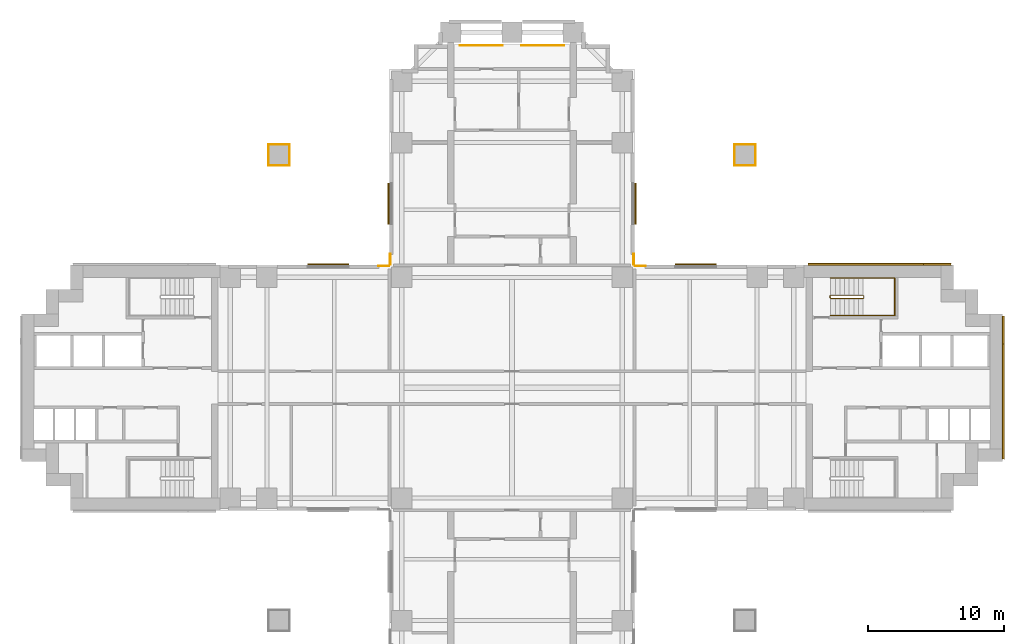
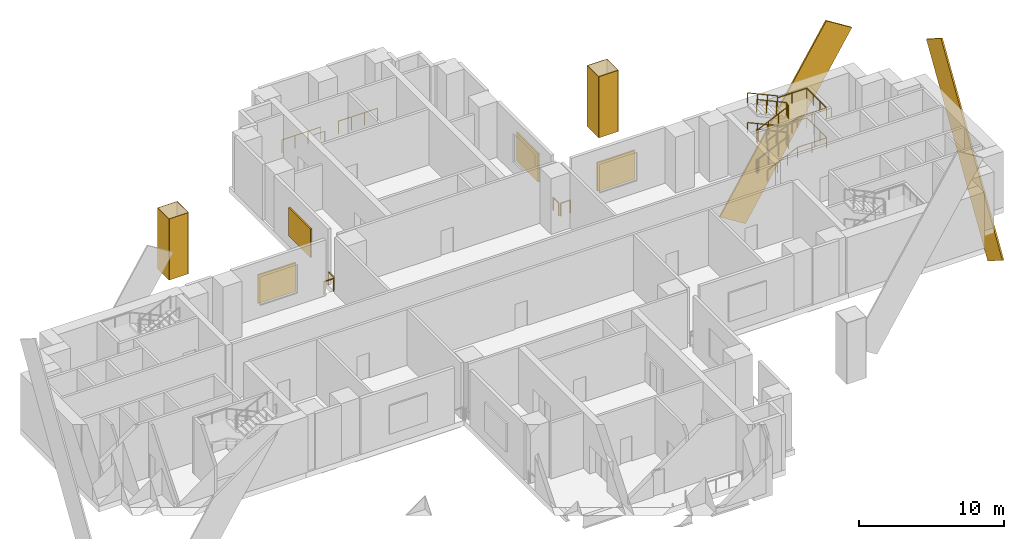
# One storey, part 10 of 10: 10 coverings, 9 railings, 4 shading devices.
"""IFC4 building model written with IfcOpenShell, lengths in metres."""

from ifc_helpers import new_model, si_unit, direction, frame, origin, origin_2d, place, context, subcontext, project, spatial, rectangle, extrude, material, layer, layer_set, material_profile, profile_set, type_object, element, save


model = new_model("IFC4")

# Units and contexts
model_context = context("Model", 3, precision=1e-05, world=origin(), true_north=direction((0.0, 1.0)))
body_context = subcontext(model_context, "Body", "Model", "MODEL_VIEW")
ifc_project = project(units=[si_unit("LENGTHUNIT", "METRE"), si_unit("AREAUNIT", "SQUARE_METRE"), si_unit("VOLUMEUNIT", "CUBIC_METRE"), si_unit("PLANEANGLEUNIT", "RADIAN"), si_unit("MASSUNIT", "GRAM", prefix="KILO")], contexts=[model_context])

# Site, building, storey
site_placement = place(None, origin())
site = spatial("IfcSite", under=ifc_project, at=site_placement, CompositionType="ELEMENT")
building_placement = place(site_placement, origin())
building = spatial("IfcBuilding", under=site, at=building_placement, Name="Perihelion Cross Residences", CompositionType="ELEMENT")
storey_placement = place(building_placement, frame((0.0, 0.0, 27.0)))
storey = spatial("IfcBuildingStorey", under=building, at=storey_placement, Name="L03", CompositionType="ELEMENT", Elevation=27.0)

# Coverings
ifc_material_1 = material(Name="Bronze anodised aluminium", Category="aluminium")
ifc_material_profile = material_profile(ifc_material_1, rectangle(XDim=0.125, YDim=2.39990234375, at=origin_2d()), Name="Bronze cladding band 2400")
ifc_profile_set = profile_set([ifc_material_profile], Name="Bronze anodised aluminium")
covering_type_1 = type_object("IfcCoveringType", Name="Bronze cladding band 2400", PredefinedType="CLADDING", material=ifc_profile_set)
for number, where, z_axis, x_axis, name in (
    (1, (22.767578125, 9.0625, -5.214111328125), (0.529924750763, 0.0, 0.848044667767), (0.0, 1.0, 0.0), "Core cladding band, east core"),
    (2, (36.0625, -4.232421875, -5.214111328125), (0.0, 0.529924750763, 0.848044667767), (-1.0, 0.0, 0.0), "Core cladding band, east core"),
):
    element("IfcCovering", number, at=place(storey_placement, frame(where, z_axis=z_axis, x_axis=x_axis)), inside=storey, type_object=covering_type_1, Name=name, PredefinedType="CLADDING", context=body_context, shape_type="SweptSolid", body=[
        extrude(rectangle(XDim=0.125, YDim=2.39990234375, at=origin_2d()), origin(), (0.0, 0.0, 1.0), 15.9736328125),
    ])
ifc_material_2 = material(Name="Bronze anodised aluminium", Category="aluminium")
ifc_layer_1 = layer(ifc_material_2, 0.0400390625)
ifc_layer_set_1 = layer_set([ifc_layer_1], Name="Bronze column casing 40")
covering_type_2 = type_object("IfcCoveringType", Name="Bronze column casing 40", PredefinedType="CLADDING", material=ifc_layer_set_1)
covering_1_placement = place(storey_placement, frame((-17.8701171875, 17.10009765625, -0.449951171875), z_axis=(0.0, 0.0, 1.0), x_axis=(1.0, 0.0, 0.0)))
element("IfcCovering", 3, at=covering_1_placement, inside=storey, type_object=covering_type_2, Name="Cladding CC1 L03 casing east-west no. 2", PredefinedType="CLADDING", context=body_context, shape_type="SweptSolid", body=[
    extrude(rectangle(XDim=0.0400390625, YDim=1.580078125, at=origin_2d()), origin(), (0.0, 0.0, 1.0), 5.14990234375),
])
covering_2_placement = place(storey_placement, frame((-17.10009765625, 17.8701171875, -0.449951171875), z_axis=(0.0, 0.0, 1.0), x_axis=(1.0, 0.0, 0.0)))
element("IfcCovering", 4, at=covering_2_placement, inside=storey, type_object=covering_type_2, Name="Cladding CC1 L03 casing north-south no. 2", PredefinedType="CLADDING", context=body_context, shape_type="SweptSolid", body=[
    extrude(rectangle(XDim=1.5, YDim=0.0400390625, at=origin_2d()), origin(), (0.0, 0.0, 1.0), 5.14990234375),
])
covering_3_placement = place(storey_placement, frame((-16.330078125, 17.10009765625, -0.449951171875), z_axis=(0.0, 0.0, 1.0), x_axis=(1.0, 0.0, 0.0)))
element("IfcCovering", 5, at=covering_3_placement, inside=storey, type_object=covering_type_2, Name="Cladding CC1 L03 casing inner east-west no. 2", PredefinedType="CLADDING", context=body_context, shape_type="SweptSolid", body=[
    extrude(rectangle(XDim=0.0400390625, YDim=1.580078125, at=origin_2d()), origin(), (0.0, 0.0, 1.0), 5.14990234375),
])
covering_4_placement = place(storey_placement, frame((-17.10009765625, 16.330078125, -0.449951171875), z_axis=(0.0, 0.0, 1.0), x_axis=(1.0, 0.0, 0.0)))
element("IfcCovering", 6, at=covering_4_placement, inside=storey, type_object=covering_type_2, Name="Cladding CC1 L03 casing inner north-south no. 2", PredefinedType="CLADDING", context=body_context, shape_type="SweptSolid", body=[
    extrude(rectangle(XDim=1.5, YDim=0.0400390625, at=origin_2d()), origin(), (0.0, 0.0, 1.0), 5.14990234375),
])
covering_5_placement = place(storey_placement, frame((17.8701171875, 17.10009765625, -0.449951171875), z_axis=(0.0, 0.0, 1.0), x_axis=(1.0, 0.0, 0.0)))
element("IfcCovering", 7, at=covering_5_placement, inside=storey, type_object=covering_type_2, Name="Cladding CC1 L03 casing east-west no. 4", PredefinedType="CLADDING", context=body_context, shape_type="SweptSolid", body=[
    extrude(rectangle(XDim=0.0400390625, YDim=1.580078125, at=origin_2d()), origin(), (0.0, 0.0, 1.0), 5.14990234375),
])
covering_6_placement = place(storey_placement, frame((17.10009765625, 17.8701171875, -0.449951171875), z_axis=(0.0, 0.0, 1.0), x_axis=(1.0, 0.0, 0.0)))
element("IfcCovering", 8, at=covering_6_placement, inside=storey, type_object=covering_type_2, Name="Cladding CC1 L03 casing north-south no. 4", PredefinedType="CLADDING", context=body_context, shape_type="SweptSolid", body=[
    extrude(rectangle(XDim=1.5, YDim=0.0400390625, at=origin_2d()), origin(), (0.0, 0.0, 1.0), 5.14990234375),
])
covering_7_placement = place(storey_placement, frame((16.330078125, 17.10009765625, -0.449951171875), z_axis=(0.0, 0.0, 1.0), x_axis=(1.0, 0.0, 0.0)))
element("IfcCovering", 9, at=covering_7_placement, inside=storey, type_object=covering_type_2, Name="Cladding CC1 L03 casing inner east-west no. 4", PredefinedType="CLADDING", context=body_context, shape_type="SweptSolid", body=[
    extrude(rectangle(XDim=0.0400390625, YDim=1.580078125, at=origin_2d()), origin(), (0.0, 0.0, 1.0), 5.14990234375),
])
covering_8_placement = place(storey_placement, frame((17.10009765625, 16.330078125, -0.449951171875), z_axis=(0.0, 0.0, 1.0), x_axis=(1.0, 0.0, 0.0)))
element("IfcCovering", 10, at=covering_8_placement, inside=storey, type_object=covering_type_2, Name="Cladding CC1 L03 casing inner north-south no. 4", PredefinedType="CLADDING", context=body_context, shape_type="SweptSolid", body=[
    extrude(rectangle(XDim=1.5, YDim=0.0400390625, at=origin_2d()), origin(), (0.0, 0.0, 1.0), 5.14990234375),
])

# Shading devices
ifc_material_3 = material(Name="Bronze anodised aluminium", Category="aluminium")
ifc_layer_2 = layer(ifc_material_3, 0.1201171875)
ifc_layer_set_2 = layer_set([ifc_layer_2], Name="Louvre panel")
shading_device_type = type_object("IfcShadingDeviceType", Name="Louvre panel", PredefinedType="USERDEFINED", material=ifc_layer_set_2)
for number, where, z_axis, x_axis, name in (
    (11, (13.5, 9.06005859375, 1.0), (0.0, 0.0, 1.0), (-1.0, 0.0, 0.0), "Louvre LV1 L03 east side north bay 2"),
    (12, (9.06005859375, 13.5, 1.0), (0.0, 0.0, 1.0), (0.0, 1.0, 0.0), "Louvre LV1 L03 north side east bay 1"),
    (13, (-9.06005859375, 13.5, 1.0), (0.0, 0.0, 1.0), (0.0, -1.0, 0.0), "Louvre LV1 L03 north side west bay 2"),
    (14, (-13.5, 9.06005859375, 1.0), (0.0, 0.0, 1.0), (-1.0, 0.0, 0.0), "Louvre LV1 L03 west side north bay 1"),
):
    element("IfcShadingDevice", number, at=place(storey_placement, frame(where, z_axis=z_axis, x_axis=x_axis)), inside=storey, type_object=shading_device_type, Name=name, ObjectType="LOUVRE", PredefinedType="USERDEFINED", context=body_context, shape_type="SweptSolid", body=[
        extrude(rectangle(XDim=3.0, YDim=0.1201171875, at=origin_2d()), origin(), (0.0, 0.0, 1.0), 2.39990234375),
    ])

# Railings
ifc_material_4 = material(Name="Bronze anodised aluminium", Category="aluminium")
railing_type_1 = type_object("IfcRailingType", Name="Roof guard 1100", PredefinedType="GUARDRAIL", material=ifc_material_4)
for number, where, name in (
    (15, (3.800048828125, 25.139892578125, 0.0), "Guard GU3 L03 edge 1 1 1"),
    (16, (-0.699951171875, 25.139892578125, 0.0), "Guard GU3 L03 edge 1 1 2"),
):
    element("IfcRailing", number, at=place(storey_placement, frame(where)), inside=storey, type_object=railing_type_1, Name=name, PredefinedType="GUARDRAIL", context=body_context, shape_type="SweptSolid", body=[
        extrude(rectangle(XDim=0.048095703125, YDim=0.048095703125, at=origin_2d()), frame((0.0, 0.0, 1.076171875), z_axis=(-1.0, 0.0, 0.0), x_axis=(0.0, -1.0, 0.0)), (0.0, 0.0, 1.0), 3.10009765625),
        extrude(rectangle(XDim=0.0419921875, YDim=0.0419921875, at=origin_2d()), origin(), (0.0, 0.0, 1.0), 1.052001953125),
        extrude(rectangle(XDim=0.0419921875, YDim=0.0419921875, at=origin_2d()), frame((-1.033447265625, 0.0, 0.0)), (0.0, 0.0, 1.0), 1.052001953125),
        extrude(rectangle(XDim=0.0419921875, YDim=0.0419921875, at=origin_2d()), frame((-2.066650390625, 0.0, 0.0)), (0.0, 0.0, 1.0), 1.052001953125),
        extrude(rectangle(XDim=0.0419921875, YDim=0.0419921875, at=origin_2d()), frame((-3.10009765625, 0.0, 0.0)), (0.0, 0.0, 1.0), 1.052001953125),
    ])
railing_1_placement = place(storey_placement, frame((-8.93994140625, 9.800048828125, 0.0)))
element("IfcRailing", 17, at=railing_1_placement, inside=storey, type_object=railing_type_1, Name="Guard GU3 L03 edge 1 1 4", PredefinedType="GUARDRAIL", context=body_context, shape_type="SweptSolid", body=[
    extrude(rectangle(XDim=0.048095703125, YDim=0.048095703125, at=origin_2d()), frame((0.0, 0.0, 1.076171875), z_axis=(0.0, -1.0, 0.0), x_axis=(1.0, 0.0, 0.0)), (0.0, 0.0, 1.0), 0.75),
    extrude(rectangle(XDim=0.0419921875, YDim=0.0419921875, at=origin_2d()), origin(), (0.0, 0.0, 1.0), 1.052001953125),
    extrude(rectangle(XDim=0.0419921875, YDim=0.0419921875, at=origin_2d()), frame((0.0, -0.75, 0.0)), (0.0, 0.0, 1.0), 1.052001953125),
])
for number, where, name in (
    (18, (-9.050048828125, 8.93994140625, 0.0), "Guard GU3 L03 edge 1 1 5"),
    (19, (9.800048828125, 8.93994140625, 0.0), "Guard GU3 L03 edge 1 1 16"),
):
    element("IfcRailing", number, at=place(storey_placement, frame(where)), inside=storey, type_object=railing_type_1, Name=name, PredefinedType="GUARDRAIL", context=body_context, shape_type="SweptSolid", body=[
        extrude(rectangle(XDim=0.048095703125, YDim=0.048095703125, at=origin_2d()), frame((0.0, 0.0, 1.076171875), z_axis=(-1.0, 0.0, 0.0), x_axis=(0.0, -1.0, 0.0)), (0.0, 0.0, 1.0), 0.75),
        extrude(rectangle(XDim=0.0419921875, YDim=0.0419921875, at=origin_2d()), origin(), (0.0, 0.0, 1.0), 1.052001953125),
        extrude(rectangle(XDim=0.0419921875, YDim=0.0419921875, at=origin_2d()), frame((-0.75, 0.0, 0.0)), (0.0, 0.0, 1.0), 1.052001953125),
    ])
railing_2_placement = place(storey_placement, frame((8.93994140625, 9.050048828125, 0.0)))
element("IfcRailing", 20, at=railing_2_placement, inside=storey, type_object=railing_type_1, Name="Guard GU3 L03 edge 1 1 17", PredefinedType="GUARDRAIL", context=body_context, shape_type="SweptSolid", body=[
    extrude(rectangle(XDim=0.048095703125, YDim=0.048095703125, at=origin_2d()), frame((0.0, 0.0, 1.076171875), z_axis=(0.0, 1.0, 0.0), x_axis=(-1.0, 0.0, 0.0)), (0.0, 0.0, 1.0), 0.75),
    extrude(rectangle(XDim=0.0419921875, YDim=0.0419921875, at=origin_2d()), origin(), (0.0, 0.0, 1.0), 1.052001953125),
    extrude(rectangle(XDim=0.0419921875, YDim=0.0419921875, at=origin_2d()), frame((0.0, 0.75, 0.0)), (0.0, 0.0, 1.0), 1.052001953125),
])
ifc_material_5 = material(Name="Stainless steel", Category="steel")
railing_type_2 = type_object("IfcRailingType", Name="Stair guard 1100", PredefinedType="GUARDRAIL", material=ifc_material_5)
railing_3_placement = place(storey_placement, frame((23.35009765625, 6.75, 0.0)))
element("IfcRailing", 21, at=railing_3_placement, inside=storey, type_object=railing_type_2, Name="L03 ST-E1 stair guard 1", PredefinedType="GUARDRAIL", context=body_context, shape_type="SweptSolid", body=[
    extrude(rectangle(XDim=0.048095703125, YDim=0.048095703125, at=origin_2d()), frame((0.0, 0.0, 1.076171875), z_axis=(0.0, -1.0, 0.0), x_axis=(1.0, 0.0, 0.0)), (0.0, 0.0, 1.0), 0.14990234375),
    extrude(rectangle(XDim=0.048095703125, YDim=0.048095703125, at=origin_2d()), frame((0.0, -0.14990234375, 1.076171875), z_axis=(0.290469530425, -0.291893400672, 0.911276958196), x_axis=(0.708833529934, 0.705375805398, 0.0)), (0.0, 0.0, 1.0), 0.17138671875),
    extrude(rectangle(XDim=0.048095703125, YDim=0.048095703125, at=origin_2d()), frame((0.0498046875, -0.199951171875, 1.232421875), z_axis=(0.908651039524, 0.0, 0.417556329579), x_axis=(0.0, 1.0, 0.0)), (0.0, 0.0, 1.0), 2.619384765625),
    extrude(rectangle(XDim=0.048095703125, YDim=0.048095703125, at=origin_2d()), frame((2.429931640625, -0.199951171875, 2.326171875), z_axis=(0.707106781187, 0.707106781187, 0.0), x_axis=(-0.707106781187, 0.707106781187, 0.0)), (0.0, 0.0, 1.0), 0.07080078125),
    extrude(rectangle(XDim=0.048095703125, YDim=0.048095703125, at=origin_2d()), frame((2.47998046875, -0.14990234375, 2.326171875), z_axis=(0.0, 1.0, 0.0), x_axis=(-1.0, 0.0, 0.0)), (0.0, 0.0, 1.0), 0.14990234375),
    extrude(rectangle(XDim=0.048095703125, YDim=0.048095703125, at=origin_2d()), frame((2.47998046875, 0.0, 2.326171875), z_axis=(-0.29177245553, 0.29177245553, 0.91089937336), x_axis=(-0.707106781187, -0.707106781187, 0.0)), (0.0, 0.0, 1.0), 0.171630859375),
    extrude(rectangle(XDim=0.048095703125, YDim=0.048095703125, at=origin_2d()), frame((2.429931640625, 0.050048828125, 2.482421875), z_axis=(-0.908651039524, 0.0, 0.417556329579), x_axis=(0.0, -1.0, 0.0)), (0.0, 0.0, 1.0), 2.619384765625),
    extrude(rectangle(XDim=0.048095703125, YDim=0.048095703125, at=origin_2d()), frame((0.0498046875, 0.050048828125, 3.576171875), z_axis=(-0.241699205484, -0.970351222016, 0.0), x_axis=(0.970351222016, -0.241699205484, 0.0)), (0.0, 0.0, 1.0), 0.2060546875),
    extrude(rectangle(XDim=0.048095703125, YDim=0.048095703125, at=origin_2d()), frame((0.0, -0.14990234375, 3.576171875), z_axis=(0.0, 1.0, 0.0), x_axis=(-1.0, 0.0, 0.0)), (0.0, 0.0, 1.0), 0.14990234375),
    extrude(rectangle(XDim=0.048095703125, YDim=0.048095703125, at=origin_2d()), frame((0.0, 0.0, 3.576171875), z_axis=(0.192591976565, -0.773200141208, 0.604210122556), x_axis=(0.970351222016, 0.241699205484, 0.0)), (0.0, 0.0, 1.0), 0.258544921875),
    extrude(rectangle(XDim=0.048095703125, YDim=0.048095703125, at=origin_2d()), frame((0.0498046875, -0.199951171875, 3.732421875), z_axis=(0.908651039524, 0.0, 0.417556329579), x_axis=(0.0, 1.0, 0.0)), (0.0, 0.0, 1.0), 2.619384765625),
    extrude(rectangle(XDim=0.048095703125, YDim=0.048095703125, at=origin_2d()), frame((2.429931640625, -0.199951171875, 4.826171875), z_axis=(0.707106781187, 0.707106781187, 0.0), x_axis=(-0.707106781187, 0.707106781187, 0.0)), (0.0, 0.0, 1.0), 0.07080078125),
    extrude(rectangle(XDim=0.048095703125, YDim=0.048095703125, at=origin_2d()), frame((2.47998046875, -0.14990234375, 4.826171875), z_axis=(0.0, 1.0, 0.0), x_axis=(-1.0, 0.0, 0.0)), (0.0, 0.0, 1.0), 0.14990234375),
    extrude(rectangle(XDim=0.048095703125, YDim=0.048095703125, at=origin_2d()), frame((2.47998046875, 0.0, 4.826171875), z_axis=(-0.29177245553, 0.29177245553, 0.91089937336), x_axis=(-0.707106781187, -0.707106781187, 0.0)), (0.0, 0.0, 1.0), 0.171630859375),
    extrude(rectangle(XDim=0.048095703125, YDim=0.048095703125, at=origin_2d()), frame((2.429931640625, 0.050048828125, 4.982421875), z_axis=(-0.908651039524, 0.0, 0.417556329579), x_axis=(0.0, -1.0, 0.0)), (0.0, 0.0, 1.0), 2.619384765625),
    extrude(rectangle(XDim=0.0419921875, YDim=0.0419921875, at=origin_2d()), origin(), (0.0, 0.0, 1.0), 1.052001953125),
    extrude(rectangle(XDim=0.0419921875, YDim=0.0419921875, at=origin_2d()), frame((0.0, -0.14990234375, 0.0)), (0.0, 0.0, 1.0), 1.052001953125),
    extrude(rectangle(XDim=0.0419921875, YDim=0.0419921875, at=origin_2d()), frame((0.0498046875, -0.199951171875, 0.15625)), (0.0, 0.0, 1.0), 1.052001953125),
    extrude(rectangle(XDim=0.0419921875, YDim=0.0419921875, at=origin_2d()), frame((0.84326171875, -0.199951171875, 0.520751953125)), (0.0, 0.0, 1.0), 1.052001953125),
    extrude(rectangle(XDim=0.0419921875, YDim=0.0419921875, at=origin_2d()), frame((1.636474609375, -0.199951171875, 0.885498046875)), (0.0, 0.0, 1.0), 1.052001953125),
    extrude(rectangle(XDim=0.0419921875, YDim=0.0419921875, at=origin_2d()), frame((2.429931640625, -0.199951171875, 1.25)), (0.0, 0.0, 1.0), 1.052001953125),
    extrude(rectangle(XDim=0.0419921875, YDim=0.0419921875, at=origin_2d()), frame((2.47998046875, -0.14990234375, 1.25)), (0.0, 0.0, 1.0), 1.052001953125),
    extrude(rectangle(XDim=0.0419921875, YDim=0.0419921875, at=origin_2d()), frame((2.47998046875, 0.0, 1.25)), (0.0, 0.0, 1.0), 1.052001953125),
    extrude(rectangle(XDim=0.0419921875, YDim=0.0419921875, at=origin_2d()), frame((2.429931640625, 0.050048828125, 1.40625)), (0.0, 0.0, 1.0), 1.052001953125),
    extrude(rectangle(XDim=0.0419921875, YDim=0.0419921875, at=origin_2d()), frame((1.636474609375, 0.050048828125, 1.770751953125)), (0.0, 0.0, 1.0), 1.052001953125),
    extrude(rectangle(XDim=0.0419921875, YDim=0.0419921875, at=origin_2d()), frame((0.84326171875, 0.050048828125, 2.135498046875)), (0.0, 0.0, 1.0), 1.052001953125),
    extrude(rectangle(XDim=0.0419921875, YDim=0.0419921875, at=origin_2d()), frame((0.0498046875, 0.050048828125, 2.5)), (0.0, 0.0, 1.0), 1.052001953125),
    extrude(rectangle(XDim=0.0419921875, YDim=0.0419921875, at=origin_2d()), frame((0.0, -0.14990234375, 2.5)), (0.0, 0.0, 1.0), 1.052001953125),
    extrude(rectangle(XDim=0.0419921875, YDim=0.0419921875, at=origin_2d()), frame((0.0, 0.0, 2.5)), (0.0, 0.0, 1.0), 1.052001953125),
    extrude(rectangle(XDim=0.0419921875, YDim=0.0419921875, at=origin_2d()), frame((0.0498046875, -0.199951171875, 2.65625)), (0.0, 0.0, 1.0), 1.052001953125),
    extrude(rectangle(XDim=0.0419921875, YDim=0.0419921875, at=origin_2d()), frame((0.84326171875, -0.199951171875, 3.020751953125)), (0.0, 0.0, 1.0), 1.052001953125),
    extrude(rectangle(XDim=0.0419921875, YDim=0.0419921875, at=origin_2d()), frame((1.636474609375, -0.199951171875, 3.385498046875)), (0.0, 0.0, 1.0), 1.052001953125),
    extrude(rectangle(XDim=0.0419921875, YDim=0.0419921875, at=origin_2d()), frame((2.429931640625, -0.199951171875, 3.75)), (0.0, 0.0, 1.0), 1.052001953125),
    extrude(rectangle(XDim=0.0419921875, YDim=0.0419921875, at=origin_2d()), frame((2.47998046875, -0.14990234375, 3.75)), (0.0, 0.0, 1.0), 1.052001953125),
    extrude(rectangle(XDim=0.0419921875, YDim=0.0419921875, at=origin_2d()), frame((2.47998046875, 0.0, 3.75)), (0.0, 0.0, 1.0), 1.052001953125),
    extrude(rectangle(XDim=0.0419921875, YDim=0.0419921875, at=origin_2d()), frame((2.429931640625, 0.050048828125, 3.90625)), (0.0, 0.0, 1.0), 1.052001953125),
    extrude(rectangle(XDim=0.0419921875, YDim=0.0419921875, at=origin_2d()), frame((1.636474609375, 0.050048828125, 4.270751953125)), (0.0, 0.0, 1.0), 1.052001953125),
    extrude(rectangle(XDim=0.0419921875, YDim=0.0419921875, at=origin_2d()), frame((0.84326171875, 0.050048828125, 4.635498046875)), (0.0, 0.0, 1.0), 1.052001953125),
    extrude(rectangle(XDim=0.0419921875, YDim=0.0419921875, at=origin_2d()), frame((0.0498046875, 0.050048828125, 5.0)), (0.0, 0.0, 1.0), 1.052001953125),
])
ifc_material_6 = material(Name="Stainless steel", Category="steel")
railing_type_3 = type_object("IfcRailingType", Name="Stair handrail 900", PredefinedType="HANDRAIL", material=ifc_material_6)
railing_4_placement = place(storey_placement, frame((23.39990234375, 5.300048828125, 0.15625)))
element("IfcRailing", 22, at=railing_4_placement, inside=storey, type_object=railing_type_3, Name="L03 ST-E1 stair handrail 1", PredefinedType="HANDRAIL", context=body_context, shape_type="SweptSolid", body=[
    extrude(rectangle(XDim=0.048095703125, YDim=0.048095703125, at=origin_2d()), frame((0.0, 0.0, 0.8759765625), z_axis=(0.908651039524, 0.0, 0.417556329579), x_axis=(0.0, 1.0, 0.0)), (0.0, 0.0, 1.0), 2.619384765625),
    extrude(rectangle(XDim=0.048095703125, YDim=0.048095703125, at=origin_2d()), frame((2.380126953125, 0.0, 1.9697265625), z_axis=(1.0, 0.0, 0.0), x_axis=(0.0, 1.0, 0.0)), (0.0, 0.0, 1.0), 2.320068359375),
    extrude(rectangle(XDim=0.048095703125, YDim=0.048095703125, at=origin_2d()), frame((4.7001953125, 0.0, 1.9697265625), z_axis=(0.0, 1.0, 0.0), x_axis=(-1.0, 0.0, 0.0)), (0.0, 0.0, 1.0), 2.75),
    extrude(rectangle(XDim=0.048095703125, YDim=0.048095703125, at=origin_2d()), frame((4.7001953125, 2.75, 1.9697265625), z_axis=(-1.0, 0.0, 0.0), x_axis=(0.0, -1.0, 0.0)), (0.0, 0.0, 1.0), 2.320068359375),
    extrude(rectangle(XDim=0.048095703125, YDim=0.048095703125, at=origin_2d()), frame((2.380126953125, 2.75, 1.9697265625), z_axis=(0.0, 0.0, 1.0), x_axis=(1.0, 0.0, 0.0)), (0.0, 0.0, 1.0), 0.15625),
    extrude(rectangle(XDim=0.048095703125, YDim=0.048095703125, at=origin_2d()), frame((2.380126953125, 2.75, 2.1259765625), z_axis=(-0.908651039524, 0.0, 0.417556329579), x_axis=(0.0, -1.0, 0.0)), (0.0, 0.0, 1.0), 2.619384765625),
    extrude(rectangle(XDim=0.0419921875, YDim=0.0419921875, at=origin_2d()), origin(), (0.0, 0.0, 1.0), 0.851806640625),
    extrude(rectangle(XDim=0.0419921875, YDim=0.0419921875, at=origin_2d()), frame((0.79345703125, 0.0, 0.364501953125)), (0.0, 0.0, 1.0), 0.851806640625),
    extrude(rectangle(XDim=0.0419921875, YDim=0.0419921875, at=origin_2d()), frame((1.586669921875, 0.0, 0.729248046875)), (0.0, 0.0, 1.0), 0.851806640625),
    extrude(rectangle(XDim=0.0419921875, YDim=0.0419921875, at=origin_2d()), frame((2.380126953125, 0.0, 1.09375)), (0.0, 0.0, 1.0), 0.851806640625),
    extrude(rectangle(XDim=0.0419921875, YDim=0.0419921875, at=origin_2d()), frame((3.5400390625, 0.0, 1.09375)), (0.0, 0.0, 1.0), 0.851806640625),
    extrude(rectangle(XDim=0.0419921875, YDim=0.0419921875, at=origin_2d()), frame((4.7001953125, 0.0, 1.09375)), (0.0, 0.0, 1.0), 0.851806640625),
    extrude(rectangle(XDim=0.0419921875, YDim=0.0419921875, at=origin_2d()), frame((4.7001953125, 0.916748046875, 1.09375)), (0.0, 0.0, 1.0), 0.851806640625),
    extrude(rectangle(XDim=0.0419921875, YDim=0.0419921875, at=origin_2d()), frame((4.7001953125, 1.833251953125, 1.09375)), (0.0, 0.0, 1.0), 0.851806640625),
    extrude(rectangle(XDim=0.0419921875, YDim=0.0419921875, at=origin_2d()), frame((4.7001953125, 2.75, 1.09375)), (0.0, 0.0, 1.0), 0.851806640625),
    extrude(rectangle(XDim=0.0419921875, YDim=0.0419921875, at=origin_2d()), frame((3.5400390625, 2.75, 1.09375)), (0.0, 0.0, 1.0), 0.851806640625),
    extrude(rectangle(XDim=0.0419921875, YDim=0.0419921875, at=origin_2d()), frame((2.380126953125, 2.75, 1.09375)), (0.0, 0.0, 1.0), 0.851806640625),
    extrude(rectangle(XDim=0.0419921875, YDim=0.0419921875, at=origin_2d()), frame((2.380126953125, 2.75, 1.25)), (0.0, 0.0, 1.0), 0.851806640625),
    extrude(rectangle(XDim=0.0419921875, YDim=0.0419921875, at=origin_2d()), frame((1.586669921875, 2.75, 1.614501953125)), (0.0, 0.0, 1.0), 0.851806640625),
    extrude(rectangle(XDim=0.0419921875, YDim=0.0419921875, at=origin_2d()), frame((0.79345703125, 2.75, 1.979248046875)), (0.0, 0.0, 1.0), 0.851806640625),
    extrude(rectangle(XDim=0.0419921875, YDim=0.0419921875, at=origin_2d()), frame((0.0, 2.75, 2.34375)), (0.0, 0.0, 1.0), 0.851806640625),
])
railing_5_placement = place(storey_placement, frame((23.39990234375, 5.300048828125, 2.65625)))
element("IfcRailing", 23, at=railing_5_placement, inside=storey, type_object=railing_type_3, Name="L03 ST-E1 stair handrail 2", PredefinedType="HANDRAIL", context=body_context, shape_type="SweptSolid", body=[
    extrude(rectangle(XDim=0.048095703125, YDim=0.048095703125, at=origin_2d()), frame((0.0, 0.0, 0.8759765625), z_axis=(0.908651039524, 0.0, 0.417556329579), x_axis=(0.0, 1.0, 0.0)), (0.0, 0.0, 1.0), 2.619384765625),
    extrude(rectangle(XDim=0.048095703125, YDim=0.048095703125, at=origin_2d()), frame((2.380126953125, 0.0, 1.9697265625), z_axis=(1.0, 0.0, 0.0), x_axis=(0.0, 1.0, 0.0)), (0.0, 0.0, 1.0), 2.320068359375),
    extrude(rectangle(XDim=0.048095703125, YDim=0.048095703125, at=origin_2d()), frame((4.7001953125, 0.0, 1.9697265625), z_axis=(0.0, 1.0, 0.0), x_axis=(-1.0, 0.0, 0.0)), (0.0, 0.0, 1.0), 2.75),
    extrude(rectangle(XDim=0.048095703125, YDim=0.048095703125, at=origin_2d()), frame((4.7001953125, 2.75, 1.9697265625), z_axis=(-1.0, 0.0, 0.0), x_axis=(0.0, -1.0, 0.0)), (0.0, 0.0, 1.0), 2.320068359375),
    extrude(rectangle(XDim=0.048095703125, YDim=0.048095703125, at=origin_2d()), frame((2.380126953125, 2.75, 1.9697265625), z_axis=(0.0, 0.0, 1.0), x_axis=(1.0, 0.0, 0.0)), (0.0, 0.0, 1.0), 0.15625),
    extrude(rectangle(XDim=0.048095703125, YDim=0.048095703125, at=origin_2d()), frame((2.380126953125, 2.75, 2.1259765625), z_axis=(-0.908651039524, 0.0, 0.417556329579), x_axis=(0.0, -1.0, 0.0)), (0.0, 0.0, 1.0), 2.619384765625),
    extrude(rectangle(XDim=0.0419921875, YDim=0.0419921875, at=origin_2d()), origin(), (0.0, 0.0, 1.0), 0.851806640625),
    extrude(rectangle(XDim=0.0419921875, YDim=0.0419921875, at=origin_2d()), frame((0.79345703125, 0.0, 0.364501953125)), (0.0, 0.0, 1.0), 0.851806640625),
    extrude(rectangle(XDim=0.0419921875, YDim=0.0419921875, at=origin_2d()), frame((1.586669921875, 0.0, 0.729248046875)), (0.0, 0.0, 1.0), 0.851806640625),
    extrude(rectangle(XDim=0.0419921875, YDim=0.0419921875, at=origin_2d()), frame((2.380126953125, 0.0, 1.09375)), (0.0, 0.0, 1.0), 0.851806640625),
    extrude(rectangle(XDim=0.0419921875, YDim=0.0419921875, at=origin_2d()), frame((3.5400390625, 0.0, 1.09375)), (0.0, 0.0, 1.0), 0.851806640625),
    extrude(rectangle(XDim=0.0419921875, YDim=0.0419921875, at=origin_2d()), frame((4.7001953125, 0.0, 1.09375)), (0.0, 0.0, 1.0), 0.851806640625),
    extrude(rectangle(XDim=0.0419921875, YDim=0.0419921875, at=origin_2d()), frame((4.7001953125, 0.916748046875, 1.09375)), (0.0, 0.0, 1.0), 0.851806640625),
    extrude(rectangle(XDim=0.0419921875, YDim=0.0419921875, at=origin_2d()), frame((4.7001953125, 1.833251953125, 1.09375)), (0.0, 0.0, 1.0), 0.851806640625),
    extrude(rectangle(XDim=0.0419921875, YDim=0.0419921875, at=origin_2d()), frame((4.7001953125, 2.75, 1.09375)), (0.0, 0.0, 1.0), 0.851806640625),
    extrude(rectangle(XDim=0.0419921875, YDim=0.0419921875, at=origin_2d()), frame((3.5400390625, 2.75, 1.09375)), (0.0, 0.0, 1.0), 0.851806640625),
    extrude(rectangle(XDim=0.0419921875, YDim=0.0419921875, at=origin_2d()), frame((2.380126953125, 2.75, 1.09375)), (0.0, 0.0, 1.0), 0.851806640625),
    extrude(rectangle(XDim=0.0419921875, YDim=0.0419921875, at=origin_2d()), frame((2.380126953125, 2.75, 1.25)), (0.0, 0.0, 1.0), 0.851806640625),
    extrude(rectangle(XDim=0.0419921875, YDim=0.0419921875, at=origin_2d()), frame((1.586669921875, 2.75, 1.614501953125)), (0.0, 0.0, 1.0), 0.851806640625),
    extrude(rectangle(XDim=0.0419921875, YDim=0.0419921875, at=origin_2d()), frame((0.79345703125, 2.75, 1.979248046875)), (0.0, 0.0, 1.0), 0.851806640625),
    extrude(rectangle(XDim=0.0419921875, YDim=0.0419921875, at=origin_2d()), frame((0.0, 2.75, 2.34375)), (0.0, 0.0, 1.0), 0.851806640625),
])

save(model, "model.ifc")
